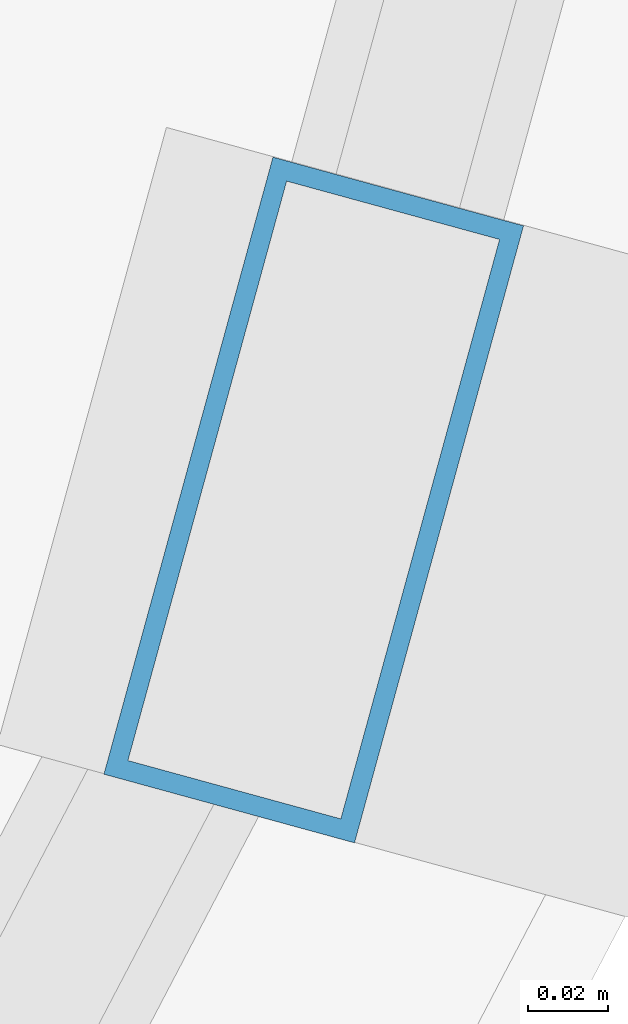
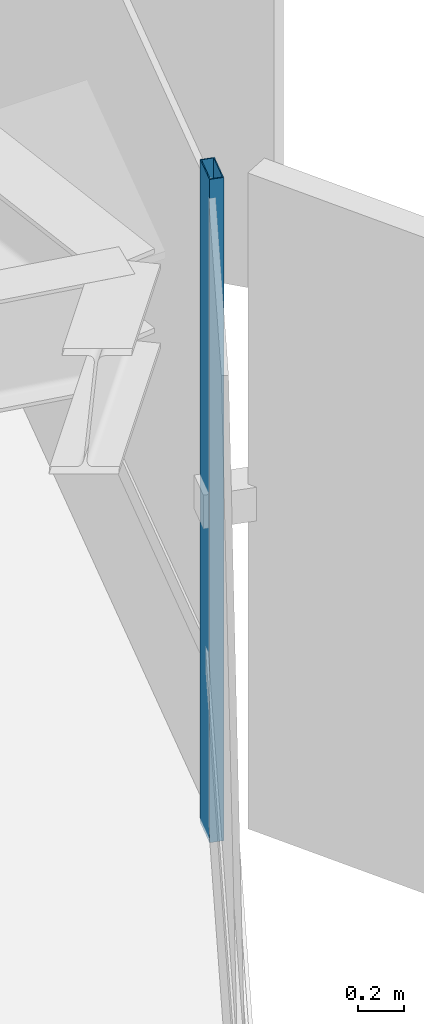
# One storey, part 16 of 38: 1 member, 1 element without a shape of its own.
"""IFC4 building model written with IfcOpenShell, lengths in metres."""

from ifc_helpers import new_model, si_unit, direction, frame, origin, origin_2d, place, context, subcontext, project, spatial, hollow_rectangle, extrude, source, transform, mapped, material, layer, layer_set, material_profile, profile_set, type_object, element, aggregate, save


model = new_model("IFC4")

# Units and contexts
model_context = context("Model", 3, precision=1e-05, world=origin(), true_north=direction((0.0, 1.0)))
body_context = subcontext(model_context, "Body", "Model", "MODEL_VIEW")
ifc_project = project(units=[si_unit("LENGTHUNIT", "METRE"), si_unit("AREAUNIT", "SQUARE_METRE"), si_unit("VOLUMEUNIT", "CUBIC_METRE"), si_unit("PLANEANGLEUNIT", "RADIAN"), si_unit("MASSUNIT", "GRAM", prefix="KILO"), si_unit("THERMODYNAMICTEMPERATUREUNIT", "KELVIN")], contexts=[model_context])

# Site, building, storey
site_placement = place(None, origin())
site = spatial("IfcSite", under=ifc_project, at=site_placement, CompositionType="ELEMENT")
building_placement = place(site_placement, origin())
building = spatial("IfcBuilding", under=site, at=building_placement, Name="Kethvar Cultural Tower", CompositionType="ELEMENT")
storey_placement = place(building_placement, frame((0.0, 0.0, 52.39990234375)))
storey = spatial("IfcBuildingStorey", under=building, at=storey_placement, Name="L12", CompositionType="ELEMENT", Elevation=52.39990234375)

# Curtain wall, member
ifc_material = material(Name="Aluminium 6063-T6", Category="aluminium")
ifc_layer = layer(ifc_material, 0.179931640625, Name="Aluminium 6063-T6", Category="aluminium")
ifc_layer_set = layer_set([ifc_layer], Name="Aluminium 6063-T6 (180 mm)")
curtain_wall_type = type_object("IfcCurtainWallType", Name="CW-SYS-02-Z1", PredefinedType="NOTDEFINED", material=ifc_layer_set)
curtain_wall_placement = place(storey_placement, origin())
curtain_wall = element("IfcCurtainWall", 1, at=curtain_wall_placement, inside=storey, type_object=curtain_wall_type, Name="L12 Curtain Wall Run 06", PredefinedType="NOTDEFINED")
ifc_material_profile = material_profile(ifc_material, hollow_rectangle(XDim=0.06494140625, YDim=0.159912109375, WallThickness=0.0048828125, at=origin_2d()), Name="Aluminium 6063-T6 — RHS160x65x5")
ifc_profile_set = profile_set([ifc_material_profile], Name="Aluminium 6063-T6 — RHS160x65x5")
member_type = type_object("IfcMemberType", Name="CW-SYS-02-Z1-MUL", PredefinedType="MULLION", material=ifc_profile_set)
shared_shape = source(origin(), body_context, "Body", "SweptSolid", [
    extrude(hollow_rectangle(XDim=0.06494140625, YDim=0.159912109375, WallThickness=0.0048828125, at=origin_2d()), origin(), (0.0, 0.0, 1.0), 3.550048828125),
])
member_placement = place(storey_placement, frame((78.802734375, 21.988037109375, 0.0), z_axis=(0.0, 0.0, 1.0), x_axis=(-0.964469861808, 0.264192894804, 0.0)))
member = element("IfcMember", 2, at=member_placement, type_object=member_type, Name="CW-L12-R06 Mullion 5", PredefinedType="MULLION", context=body_context, shape_type="MappedRepresentation", body=[
    mapped(shared_shape, transform((0.0, 0.0, 0.0), scale=1.0)),
])
aggregate(curtain_wall, [member])

save(model, "model.ifc")
